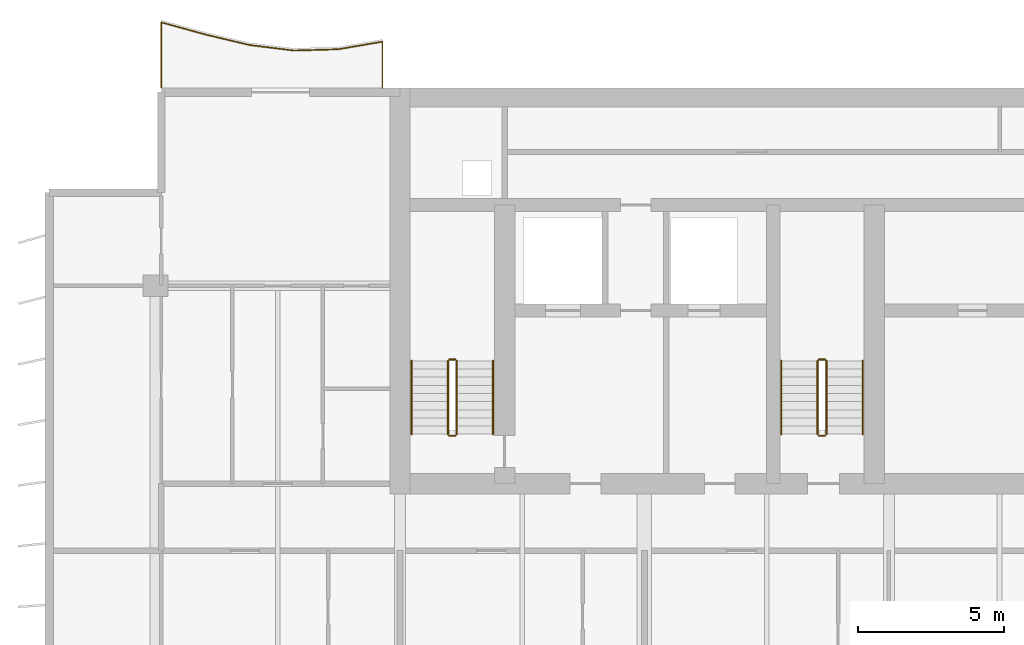
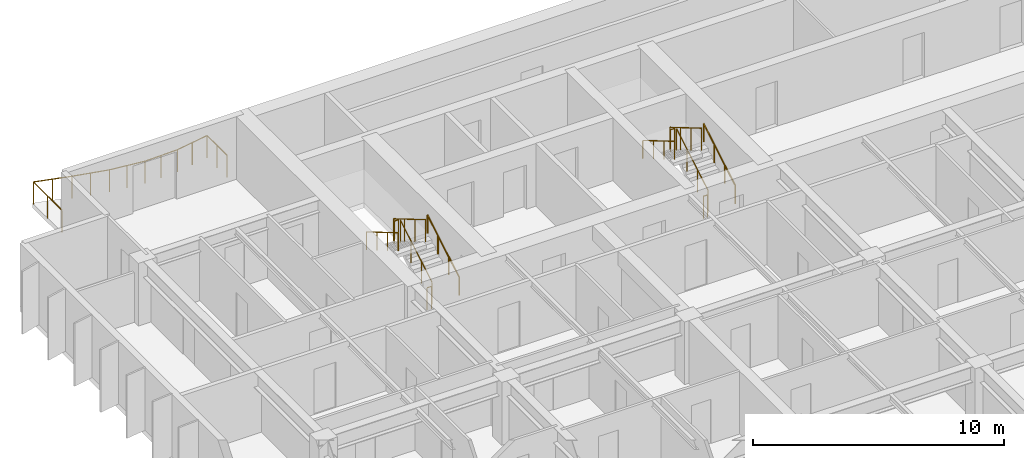
# One storey, part 14 of 16: 13 railings.
"""IFC4 building model written with IfcOpenShell, lengths in metres."""

import ifcopenshell
import ifcopenshell.guid

model = None  # the IFC model being written
_history = None  # IfcOwnerHistory: only IFC2X3 demands one
_inside = {}  # id of a spatial element -> (the spatial element, [elements in it])
_under = {}  # id of a project, library or spatial element -> (it, [spatial elements below it])
_declared = {}  # id of a project -> (the project, [libraries it declares])
_typed = {}  # id of a type object -> (the type object, [elements of that type])
_made_of = {}  # id of a material, layer set ... -> (it, [elements and type objects made of it])


def new_model(schema):
    """Start an empty IFC model of exactly this schema.

    Asked for "IFC4X3", IfcOpenShell would pick the latest addendum, in which some entities
    have other attributes; the version numbers below select the first issue.
    IFC2X3 requires an IfcOwnerHistory on every rooted entity: one is made here for all.
    """
    global model, _history
    if schema == "IFC4X3":
        model = ifcopenshell.file(schema_version=(4, 3, 0, 0))
    else:
        model = ifcopenshell.file(schema=schema)
    _inside.clear()
    _under.clear()
    _declared.clear()
    _typed.clear()
    _made_of.clear()
    _history = None
    if model.schema == "IFC2X3":
        org = make("IfcOrganization", Name="unknown")
        user = make(
            "IfcPersonAndOrganization",
            ThePerson=make("IfcPerson", FamilyName="unknown"),
            TheOrganization=org,
        )
        app = make(
            "IfcApplication",
            ApplicationDeveloper=org,
            Version="unknown",
            ApplicationFullName="unknown",
            ApplicationIdentifier="unknown",
        )
        _history = make(
            "IfcOwnerHistory",
            OwningUser=user,
            OwningApplication=app,
            ChangeAction="ADDED",
            CreationDate=0,
        )
    return model


def make(cls, **values):
    """One entity of the class cls with the attributes given. An attribute that is None is left unset."""
    return model.create_entity(
        cls, **{name: value for name, value in values.items() if value is not None}
    )


def rooted(cls, **values):
    """An entity with a GlobalId (a new one), such as an element, a storey or a relation."""
    return make(cls, GlobalId=ifcopenshell.guid.new(), OwnerHistory=_history, **values)


def si_unit(unit_type, name, prefix=None):
    """IfcSIUnit, for example si_unit("LENGTHUNIT", "METRE", prefix="MILLI")."""
    return make("IfcSIUnit", UnitType=unit_type, Prefix=prefix, Name=name)


def assignment(units):
    """IfcUnitAssignment: the units of a project."""
    return None if units is None else make("IfcUnitAssignment", Units=units)


def point(xyz):
    """IfcCartesianPoint."""
    return None if xyz is None else make("IfcCartesianPoint", Coordinates=xyz)


def direction(xyz):
    """IfcDirection."""
    return None if xyz is None else make("IfcDirection", DirectionRatios=xyz)


def frame(location, z_axis=None, x_axis=None):
    """IfcAxis2Placement3D, a coordinate frame: its origin and axes. An axis left out is left unset."""
    return make(
        "IfcAxis2Placement3D",
        Location=point(location),
        Axis=direction(z_axis),
        RefDirection=direction(x_axis),
    )


def frame_2d(location, x_axis=None):
    """IfcAxis2Placement2D, a coordinate frame in the plane: its origin and x axis."""
    return make(
        "IfcAxis2Placement2D", Location=point(location), RefDirection=direction(x_axis)
    )


def origin():
    """The frame at (0, 0, 0) with its axes left unset."""
    return frame((0.0, 0.0, 0.0))


def origin_2d():
    """The frame at (0, 0) in the plane with its x axis left unset."""
    return frame_2d((0.0, 0.0))


def place(relative_to, where):
    """IfcLocalPlacement: puts the frame where relative to a parent placement (None: the world)."""
    return make(
        "IfcLocalPlacement", PlacementRelTo=relative_to, RelativePlacement=where
    )


def context(
    kind, dimensions, precision=None, world=None, true_north=None, identifier=None
):
    """IfcGeometricRepresentationContext, for example the 3D "Model" context."""
    return make(
        "IfcGeometricRepresentationContext",
        ContextIdentifier=identifier,
        ContextType=kind,
        CoordinateSpaceDimension=dimensions,
        Precision=precision,
        WorldCoordinateSystem=world,
        TrueNorth=true_north,
    )


def subcontext(parent, identifier, kind, view, scale=None):
    """IfcGeometricRepresentationSubContext, for example "Body" below "Model"."""
    return make(
        "IfcGeometricRepresentationSubContext",
        ContextIdentifier=identifier,
        ContextType=kind,
        ParentContext=parent,
        TargetScale=scale,
        TargetView=view,
    )


def project(units=None, contexts=None):
    """IfcProject with its units and contexts."""
    return rooted(
        "IfcProject",
        Name="project",
        RepresentationContexts=contexts,
        UnitsInContext=assignment(units),
    )


def spatial(cls, under=None, at=None, **own):
    """A site, building, storey or space (cls), placed at a placement, below another one or the project."""
    s = rooted(cls, ObjectPlacement=at, **own)
    if under is not None:
        _under.setdefault(under.id(), (under, []))[1].append(s)
    return s


def profile(cls, at=None, kind="AREA", **sizes):
    """A parametric profile (cls). Its sizes go by their IFC names, for example OverallWidth=200.0."""
    return make(cls, ProfileType=kind, Position=at, **sizes)


def circle(**sizes):
    """IfcCircleProfileDef."""
    return profile("IfcCircleProfileDef", **sizes)


def extrude(swept, where, along, depth):
    """IfcExtrudedAreaSolid: the profile swept, set in the frame where, extruded along a direction by depth."""
    return make(
        "IfcExtrudedAreaSolid",
        SweptArea=swept,
        Position=where,
        ExtrudedDirection=direction(along),
        Depth=depth,
    )


def shape(context_of_items, identifier, shape_type, items):
    """IfcShapeRepresentation: the items that make up one representation, for example the "Body"."""
    return make(
        "IfcShapeRepresentation",
        ContextOfItems=context_of_items,
        RepresentationIdentifier=identifier,
        RepresentationType=shape_type,
        Items=items,
    )


def material(Name=None, Category=None):
    """IfcMaterial."""
    return make("IfcMaterial", Name=Name, Category=Category)


def made_of(thing, what):
    """Note that an element or type object is made of a material, layer set ...; save() writes the relation."""
    if what is not None:
        _made_of.setdefault(what.id(), (what, []))[1].append(thing)
    return thing


def type_object(cls, material=None, **own):
    """A type object (cls), such as IfcWallType, which elements share."""
    return made_of(rooted(cls, **own), material)


def element(
    cls,
    number,
    at=None,
    inside=None,
    cuts=None,
    type_object=None,
    material=None,
    context=None,
    identifier="Body",
    shape_type=None,
    held_by="IfcProductDefinitionShape",
    body=None,
    shapes=None,
    **own,
):
    """One element of the class cls, such as IfcWall. Its Tag is "e" and its number.

    at: its placement. inside: the storey or other place that contains it. cuts: it is an
    opening in that element (IfcRelVoidsElement). A single representation is given by context,
    identifier, shape_type and body (its items); several are given by shapes. held_by: the class
    of the entity that holds the representations. save() writes the other relations.
    """
    e = rooted(cls, Tag="e%d" % number, ObjectPlacement=at, **own)
    if body is not None:
        shapes = [shape(context, identifier, shape_type, body)]
    if shapes is not None:
        e.Representation = make(held_by, Representations=shapes)
    if inside is not None:
        _inside.setdefault(inside.id(), (inside, []))[1].append(e)
    if cuts is not None:
        rooted(
            "IfcRelVoidsElement", RelatingBuildingElement=cuts, RelatedOpeningElement=e
        )
    if type_object is not None:
        _typed.setdefault(type_object.id(), (type_object, []))[1].append(e)
    return made_of(e, material)


def aggregate(whole, parts):
    """IfcRelAggregates: a whole, such as a stair, and the parts it consists of."""
    return rooted("IfcRelAggregates", RelatingObject=whole, RelatedObjects=parts)


def save(model, path):
    """Write the relations noted so far, then the file.

    IfcRelAggregates (storeys below a building ...), IfcRelContainedInSpatialStructure (elements
    in a storey), IfcRelDefinesByType, IfcRelAssociatesMaterial and IfcRelDeclares: one each for
    every whole, place, type object, material and project.
    """
    for whole, parts in _under.values():
        aggregate(whole, parts)
    for where, things in _inside.values():
        rooted(
            "IfcRelContainedInSpatialStructure",
            RelatedElements=things,
            RelatingStructure=where,
        )
    for kind, things in _typed.values():
        rooted("IfcRelDefinesByType", RelatedObjects=things, RelatingType=kind)
    for what, things in _made_of.values():
        rooted("IfcRelAssociatesMaterial", RelatedObjects=things, RelatingMaterial=what)
    for by, libraries in _declared.values():
        rooted("IfcRelDeclares", RelatingContext=by, RelatedDefinitions=libraries)
    model.write(path)


model = new_model("IFC4")

# Units and contexts
model_context = context("Model", 3, precision=1e-05, world=origin(), true_north=direction((0.0, 1.0)))
body_context = subcontext(model_context, "Body", "Model", "MODEL_VIEW")
ifc_project = project(units=[si_unit("LENGTHUNIT", "METRE"), si_unit("AREAUNIT", "SQUARE_METRE"), si_unit("VOLUMEUNIT", "CUBIC_METRE"), si_unit("PLANEANGLEUNIT", "RADIAN"), si_unit("MASSUNIT", "GRAM", prefix="KILO")], contexts=[model_context])

# Site, building, storey
site_placement = place(None, origin())
site = spatial("IfcSite", under=ifc_project, at=site_placement, CompositionType="ELEMENT")
building_placement = place(site_placement, origin())
building = spatial("IfcBuilding", under=site, at=building_placement, Name="Caelmar Bay Residences", CompositionType="ELEMENT")
storey_placement = place(building_placement, frame((0.0, 0.0, 198.300048828125)))
storey = spatial("IfcBuildingStorey", under=building, at=storey_placement, Name="L55", CompositionType="ELEMENT", Elevation=198.300048828125)

# Railings
ifc_material_1 = material(Name="Anodised bronze handrail with laminated hurricane glass infill", Category="glass")
railing_type_1 = type_object("IfcRailingType", Name="RL-BAL-1100", PredefinedType="BALUSTRADE", material=ifc_material_1)
railing_1_placement = place(storey_placement, frame((17.699951171875, 50.60009765625, 0.0)))
element("IfcRailing", 1, at=railing_1_placement, inside=storey, type_object=railing_type_1, Name="L55 north_west Balcony Balustrade", PredefinedType="BALUSTRADE", context=body_context, shape_type="SweptSolid", body=[
    extrude(circle(Radius=0.02392578125, at=origin_2d()), frame((0.0, 0.0, 1.076171875), z_axis=(0.0, 1.0, 0.0), x_axis=(-1.0, 0.0, 0.0)), (0.0, 0.0, 1.0), 1.588134765625),
    extrude(circle(Radius=0.02392578125, at=origin_2d()), frame((0.0, 1.588134765625, 1.076171875), z_axis=(-0.985445490472, -0.169991721293, 0.0), x_axis=(0.169991721293, -0.985445490472, 0.0)), (0.0, 0.0, 1.0), 1.54248046875),
    extrude(circle(Radius=0.02392578125, at=origin_2d()), frame((-1.52001953125, 1.325927734375, 1.076171875), z_axis=(-0.999582338318, -0.028898943286, 0.0), x_axis=(0.028898943286, -0.999582338318, 0.0)), (0.0, 0.0, 1.0), 1.520751953125),
    extrude(circle(Radius=0.02392578125, at=origin_2d()), frame((-3.0400390625, 1.281982421875, 1.076171875), z_axis=(-0.992419457445, 0.122896787936, 0.0), x_axis=(-0.122896787936, -0.992419457445, 0.0)), (0.0, 0.0, 1.0), 1.53173828125),
    extrude(circle(Radius=0.02392578125, at=origin_2d()), frame((-4.56005859375, 1.47021484375, 1.076171875), z_axis=(-0.972916782402, 0.231155649987, 0.0), x_axis=(-0.231155649987, -0.972916782402, 0.0)), (0.0, 0.0, 1.0), 1.56201171875),
    extrude(circle(Radius=0.02392578125, at=origin_2d()), frame((-6.079833984375, 1.831298828125, 1.076171875), z_axis=(-0.96381450531, 0.266573815956, 0.0), x_axis=(-0.266573815956, -0.96381450531, 0.0)), (0.0, 0.0, 1.0), 1.5771484375),
    extrude(circle(Radius=0.02392578125, at=origin_2d()), frame((-7.599853515625, 2.251708984375, 1.076171875), z_axis=(0.0, -1.0, 0.0), x_axis=(1.0, 0.0, 0.0)), (0.0, 0.0, 1.0), 2.251708984375),
    extrude(circle(Radius=0.02099609375, at=origin_2d()), origin(), (0.0, 0.0, 1.0), 1.052001953125),
    extrude(circle(Radius=0.02099609375, at=origin_2d()), frame((0.0, 0.7939453125, 0.0)), (0.0, 0.0, 1.0), 1.052001953125),
    extrude(circle(Radius=0.02099609375, at=origin_2d()), frame((0.0, 1.588134765625, 0.0)), (0.0, 0.0, 1.0), 1.052001953125),
    extrude(circle(Radius=0.02099609375, at=origin_2d()), frame((-0.760009765625, 1.45703125, 0.0)), (0.0, 0.0, 1.0), 1.052001953125),
    extrude(circle(Radius=0.02099609375, at=origin_2d()), frame((-1.52001953125, 1.325927734375, 0.0)), (0.0, 0.0, 1.0), 1.052001953125),
    extrude(circle(Radius=0.02099609375, at=origin_2d()), frame((-2.280029296875, 1.303955078125, 0.0)), (0.0, 0.0, 1.0), 1.052001953125),
    extrude(circle(Radius=0.02099609375, at=origin_2d()), frame((-3.0400390625, 1.281982421875, 0.0)), (0.0, 0.0, 1.0), 1.052001953125),
    extrude(circle(Radius=0.02099609375, at=origin_2d()), frame((-3.800048828125, 1.3759765625, 0.0)), (0.0, 0.0, 1.0), 1.052001953125),
    extrude(circle(Radius=0.02099609375, at=origin_2d()), frame((-4.56005859375, 1.47021484375, 0.0)), (0.0, 0.0, 1.0), 1.052001953125),
    extrude(circle(Radius=0.02099609375, at=origin_2d()), frame((-5.31982421875, 1.65087890625, 0.0)), (0.0, 0.0, 1.0), 1.052001953125),
    extrude(circle(Radius=0.02099609375, at=origin_2d()), frame((-6.079833984375, 1.831298828125, 0.0)), (0.0, 0.0, 1.0), 1.052001953125),
    extrude(circle(Radius=0.02099609375, at=origin_2d()), frame((-6.83984375, 2.04150390625, 0.0)), (0.0, 0.0, 1.0), 1.052001953125),
    extrude(circle(Radius=0.02099609375, at=origin_2d()), frame((-7.599853515625, 2.251708984375, 0.0)), (0.0, 0.0, 1.0), 1.052001953125),
    extrude(circle(Radius=0.02099609375, at=origin_2d()), frame((-7.599853515625, 1.1259765625, 0.0)), (0.0, 0.0, 1.0), 1.052001953125),
    extrude(circle(Radius=0.02099609375, at=origin_2d()), frame((-7.599853515625, 0.0, 0.0)), (0.0, 0.0, 1.0), 1.052001953125),
])
ifc_material_2 = material(Name="Painted galvanized steel stair guard 1100 mm", Category="steel")
railing_type_2 = type_object("IfcRailingType", Name="RL-GRD-1100", PredefinedType="GUARDRAIL", material=ifc_material_2)
railing_2_placement = place(storey_placement, frame((20.25, 38.699951171875, 0.1650390625)))
element("IfcRailing", 2, at=railing_2_placement, inside=storey, type_object=railing_type_2, Name="L55 ST1 stair guard 1", PredefinedType="GUARDRAIL", context=body_context, shape_type="SweptSolid", body=[
    extrude(circle(Radius=0.02392578125, at=origin_2d()), frame((0.0, 0.0, 1.076171875), z_axis=(0.0, 0.861560626758, 0.507654692109), x_axis=(-1.0, 0.0, 0.0)), (0.0, 0.0, 1.0), 2.925048828125),
    extrude(circle(Radius=0.02099609375, at=origin_2d()), origin(), (0.0, 0.0, 1.0), 1.052001953125),
    extrude(circle(Radius=0.02099609375, at=origin_2d()), frame((0.0, 0.840087890625, 0.494873046875)), (0.0, 0.0, 1.0), 1.052001953125),
    extrude(circle(Radius=0.02099609375, at=origin_2d()), frame((0.0, 1.679931640625, 0.989990234375)), (0.0, 0.0, 1.0), 1.052001953125),
    extrude(circle(Radius=0.02099609375, at=origin_2d()), frame((0.0, 2.52001953125, 1.48486328125)), (0.0, 0.0, 1.0), 1.052001953125),
])
railing_3_placement = place(storey_placement, frame((20.199951171875, 41.27001953125, 1.64990234375)))
element("IfcRailing", 3, at=railing_3_placement, inside=storey, type_object=railing_type_2, Name="L55 ST1 stair guard 2", PredefinedType="GUARDRAIL", context=body_context, shape_type="SweptSolid", body=[
    extrude(circle(Radius=0.02392578125, at=origin_2d()), frame((0.0, 0.0, 1.076171875), z_axis=(-1.0, 0.0, 0.0), x_axis=(0.0, -1.0, 0.0)), (0.0, 0.0, 1.0), 0.199951171875),
    extrude(circle(Radius=0.02099609375, at=origin_2d()), origin(), (0.0, 0.0, 1.0), 1.052001953125),
    extrude(circle(Radius=0.02099609375, at=origin_2d()), frame((-0.199951171875, 0.0, 0.0)), (0.0, 0.0, 1.0), 1.052001953125),
])
railing_4_placement = place(storey_placement, frame((19.949951171875, 41.219970703125, 1.81494140625)))
element("IfcRailing", 4, at=railing_4_placement, inside=storey, type_object=railing_type_2, Name="L55 ST1 stair guard 3", PredefinedType="GUARDRAIL", context=body_context, shape_type="SweptSolid", body=[
    extrude(circle(Radius=0.02392578125, at=origin_2d()), frame((0.0, 0.0, 1.076171875), z_axis=(0.0, -0.86152411907, 0.507716645641), x_axis=(1.0, 0.0, 0.0)), (0.0, 0.0, 1.0), 2.925048828125),
    extrude(circle(Radius=0.02099609375, at=origin_2d()), origin(), (0.0, 0.0, 1.0), 1.052001953125),
    extrude(circle(Radius=0.02099609375, at=origin_2d()), frame((0.0, -0.840087890625, 0.4951171875)), (0.0, 0.0, 1.0), 1.052001953125),
    extrude(circle(Radius=0.02099609375, at=origin_2d()), frame((0.0, -1.679931640625, 0.989990234375)), (0.0, 0.0, 1.0), 1.052001953125),
    extrude(circle(Radius=0.02099609375, at=origin_2d()), frame((0.0, -2.52001953125, 1.485107421875)), (0.0, 0.0, 1.0), 1.052001953125),
])
railing_5_placement = place(storey_placement, frame((20.199951171875, 38.64990234375, 0.0)))
element("IfcRailing", 5, at=railing_5_placement, inside=storey, type_object=railing_type_2, Name="L55 ST1 stair guard 4", PredefinedType="GUARDRAIL", context=body_context, shape_type="SweptSolid", body=[
    extrude(circle(Radius=0.02392578125, at=origin_2d()), frame((0.0, 0.0, 1.076171875), z_axis=(-1.0, 0.0, 0.0), x_axis=(0.0, -1.0, 0.0)), (0.0, 0.0, 1.0), 0.199951171875),
    extrude(circle(Radius=0.02099609375, at=origin_2d()), origin(), (0.0, 0.0, 1.0), 1.052001953125),
    extrude(circle(Radius=0.02099609375, at=origin_2d()), frame((-0.199951171875, 0.0, 0.0)), (0.0, 0.0, 1.0), 1.052001953125),
])
railing_6_placement = place(storey_placement, frame((32.949951171875, 38.699951171875, 0.1650390625)))
element("IfcRailing", 6, at=railing_6_placement, inside=storey, type_object=railing_type_2, Name="L55 ST3 stair guard 1", PredefinedType="GUARDRAIL", context=body_context, shape_type="SweptSolid", body=[
    extrude(circle(Radius=0.02392578125, at=origin_2d()), frame((0.0, 0.0, 1.076171875), z_axis=(0.0, 0.861560626758, 0.507654692109), x_axis=(-1.0, 0.0, 0.0)), (0.0, 0.0, 1.0), 2.925048828125),
    extrude(circle(Radius=0.02099609375, at=origin_2d()), origin(), (0.0, 0.0, 1.0), 1.052001953125),
    extrude(circle(Radius=0.02099609375, at=origin_2d()), frame((0.0, 0.840087890625, 0.494873046875)), (0.0, 0.0, 1.0), 1.052001953125),
    extrude(circle(Radius=0.02099609375, at=origin_2d()), frame((0.0, 1.679931640625, 0.989990234375)), (0.0, 0.0, 1.0), 1.052001953125),
    extrude(circle(Radius=0.02099609375, at=origin_2d()), frame((0.0, 2.52001953125, 1.48486328125)), (0.0, 0.0, 1.0), 1.052001953125),
])
railing_7_placement = place(storey_placement, frame((32.89990234375, 41.27001953125, 1.64990234375)))
element("IfcRailing", 7, at=railing_7_placement, inside=storey, type_object=railing_type_2, Name="L55 ST3 stair guard 2", PredefinedType="GUARDRAIL", context=body_context, shape_type="SweptSolid", body=[
    extrude(circle(Radius=0.02392578125, at=origin_2d()), frame((0.0, 0.0, 1.076171875), z_axis=(-1.0, 0.0, 0.0), x_axis=(0.0, -1.0, 0.0)), (0.0, 0.0, 1.0), 0.199951171875),
    extrude(circle(Radius=0.02099609375, at=origin_2d()), origin(), (0.0, 0.0, 1.0), 1.052001953125),
    extrude(circle(Radius=0.02099609375, at=origin_2d()), frame((-0.199951171875, 0.0, 0.0)), (0.0, 0.0, 1.0), 1.052001953125),
])
railing_8_placement = place(storey_placement, frame((32.64990234375, 41.219970703125, 1.81494140625)))
element("IfcRailing", 8, at=railing_8_placement, inside=storey, type_object=railing_type_2, Name="L55 ST3 stair guard 3", PredefinedType="GUARDRAIL", context=body_context, shape_type="SweptSolid", body=[
    extrude(circle(Radius=0.02392578125, at=origin_2d()), frame((0.0, 0.0, 1.076171875), z_axis=(0.0, -0.86152411907, 0.507716645641), x_axis=(1.0, 0.0, 0.0)), (0.0, 0.0, 1.0), 2.925048828125),
    extrude(circle(Radius=0.02099609375, at=origin_2d()), origin(), (0.0, 0.0, 1.0), 1.052001953125),
    extrude(circle(Radius=0.02099609375, at=origin_2d()), frame((0.0, -0.840087890625, 0.4951171875)), (0.0, 0.0, 1.0), 1.052001953125),
    extrude(circle(Radius=0.02099609375, at=origin_2d()), frame((0.0, -1.679931640625, 0.989990234375)), (0.0, 0.0, 1.0), 1.052001953125),
    extrude(circle(Radius=0.02099609375, at=origin_2d()), frame((0.0, -2.52001953125, 1.485107421875)), (0.0, 0.0, 1.0), 1.052001953125),
])
railing_9_placement = place(storey_placement, frame((32.89990234375, 38.64990234375, 0.0)))
element("IfcRailing", 9, at=railing_9_placement, inside=storey, type_object=railing_type_2, Name="L55 ST3 stair guard 4", PredefinedType="GUARDRAIL", context=body_context, shape_type="SweptSolid", body=[
    extrude(circle(Radius=0.02392578125, at=origin_2d()), frame((0.0, 0.0, 1.076171875), z_axis=(-1.0, 0.0, 0.0), x_axis=(0.0, -1.0, 0.0)), (0.0, 0.0, 1.0), 0.199951171875),
    extrude(circle(Radius=0.02099609375, at=origin_2d()), origin(), (0.0, 0.0, 1.0), 1.052001953125),
    extrude(circle(Radius=0.02099609375, at=origin_2d()), frame((-0.199951171875, 0.0, 0.0)), (0.0, 0.0, 1.0), 1.052001953125),
])
ifc_material_3 = material(Name="Brushed bronze stainless-steel tubular handrail 900 mm", Category="steel")
railing_type_3 = type_object("IfcRailingType", Name="RL-HND-900", PredefinedType="HANDRAIL", material=ifc_material_3)
railing_10_placement = place(storey_placement, frame((21.5, 38.699951171875, 0.1650390625)))
element("IfcRailing", 10, at=railing_10_placement, inside=storey, type_object=railing_type_3, Name="L55 ST1 stair handrail 1", PredefinedType="HANDRAIL", context=body_context, shape_type="SweptSolid", body=[
    extrude(circle(Radius=0.02392578125, at=origin_2d()), frame((0.0, 0.0, 0.8759765625), z_axis=(0.0, 0.861560626758, 0.507654692109), x_axis=(-1.0, 0.0, 0.0)), (0.0, 0.0, 1.0), 2.925048828125),
    extrude(circle(Radius=0.02099609375, at=origin_2d()), origin(), (0.0, 0.0, 1.0), 0.851806640625),
    extrude(circle(Radius=0.02099609375, at=origin_2d()), frame((0.0, 0.840087890625, 0.494873046875)), (0.0, 0.0, 1.0), 0.851806640625),
    extrude(circle(Radius=0.02099609375, at=origin_2d()), frame((0.0, 1.679931640625, 0.989990234375)), (0.0, 0.0, 1.0), 0.851806640625),
    extrude(circle(Radius=0.02099609375, at=origin_2d()), frame((0.0, 2.52001953125, 1.48486328125)), (0.0, 0.0, 1.0), 0.851806640625),
])
railing_11_placement = place(storey_placement, frame((18.699951171875, 41.219970703125, 1.81494140625)))
element("IfcRailing", 11, at=railing_11_placement, inside=storey, type_object=railing_type_3, Name="L55 ST1 stair handrail 2", PredefinedType="HANDRAIL", context=body_context, shape_type="SweptSolid", body=[
    extrude(circle(Radius=0.02392578125, at=origin_2d()), frame((0.0, 0.0, 0.8759765625), z_axis=(0.0, -0.86152411907, 0.507716645641), x_axis=(1.0, 0.0, 0.0)), (0.0, 0.0, 1.0), 2.925048828125),
    extrude(circle(Radius=0.02099609375, at=origin_2d()), origin(), (0.0, 0.0, 1.0), 0.851806640625),
    extrude(circle(Radius=0.02099609375, at=origin_2d()), frame((0.0, -0.840087890625, 0.4951171875)), (0.0, 0.0, 1.0), 0.851806640625),
    extrude(circle(Radius=0.02099609375, at=origin_2d()), frame((0.0, -1.679931640625, 0.989990234375)), (0.0, 0.0, 1.0), 0.851806640625),
    extrude(circle(Radius=0.02099609375, at=origin_2d()), frame((0.0, -2.52001953125, 1.485107421875)), (0.0, 0.0, 1.0), 0.851806640625),
])
railing_12_placement = place(storey_placement, frame((34.199951171875, 38.699951171875, 0.1650390625)))
element("IfcRailing", 12, at=railing_12_placement, inside=storey, type_object=railing_type_3, Name="L55 ST3 stair handrail 1", PredefinedType="HANDRAIL", context=body_context, shape_type="SweptSolid", body=[
    extrude(circle(Radius=0.02392578125, at=origin_2d()), frame((0.0, 0.0, 0.8759765625), z_axis=(0.0, 0.861560626758, 0.507654692109), x_axis=(-1.0, 0.0, 0.0)), (0.0, 0.0, 1.0), 2.925048828125),
    extrude(circle(Radius=0.02099609375, at=origin_2d()), origin(), (0.0, 0.0, 1.0), 0.851806640625),
    extrude(circle(Radius=0.02099609375, at=origin_2d()), frame((0.0, 0.840087890625, 0.494873046875)), (0.0, 0.0, 1.0), 0.851806640625),
    extrude(circle(Radius=0.02099609375, at=origin_2d()), frame((0.0, 1.679931640625, 0.989990234375)), (0.0, 0.0, 1.0), 0.851806640625),
    extrude(circle(Radius=0.02099609375, at=origin_2d()), frame((0.0, 2.52001953125, 1.48486328125)), (0.0, 0.0, 1.0), 0.851806640625),
])
railing_13_placement = place(storey_placement, frame((31.39990234375, 41.219970703125, 1.81494140625)))
element("IfcRailing", 13, at=railing_13_placement, inside=storey, type_object=railing_type_3, Name="L55 ST3 stair handrail 2", PredefinedType="HANDRAIL", context=body_context, shape_type="SweptSolid", body=[
    extrude(circle(Radius=0.02392578125, at=origin_2d()), frame((0.0, 0.0, 0.8759765625), z_axis=(0.0, -0.86152411907, 0.507716645641), x_axis=(1.0, 0.0, 0.0)), (0.0, 0.0, 1.0), 2.925048828125),
    extrude(circle(Radius=0.02099609375, at=origin_2d()), origin(), (0.0, 0.0, 1.0), 0.851806640625),
    extrude(circle(Radius=0.02099609375, at=origin_2d()), frame((0.0, -0.840087890625, 0.4951171875)), (0.0, 0.0, 1.0), 0.851806640625),
    extrude(circle(Radius=0.02099609375, at=origin_2d()), frame((0.0, -1.679931640625, 0.989990234375)), (0.0, 0.0, 1.0), 0.851806640625),
    extrude(circle(Radius=0.02099609375, at=origin_2d()), frame((0.0, -2.52001953125, 1.485107421875)), (0.0, 0.0, 1.0), 0.851806640625),
])

save(model, "model.ifc")
